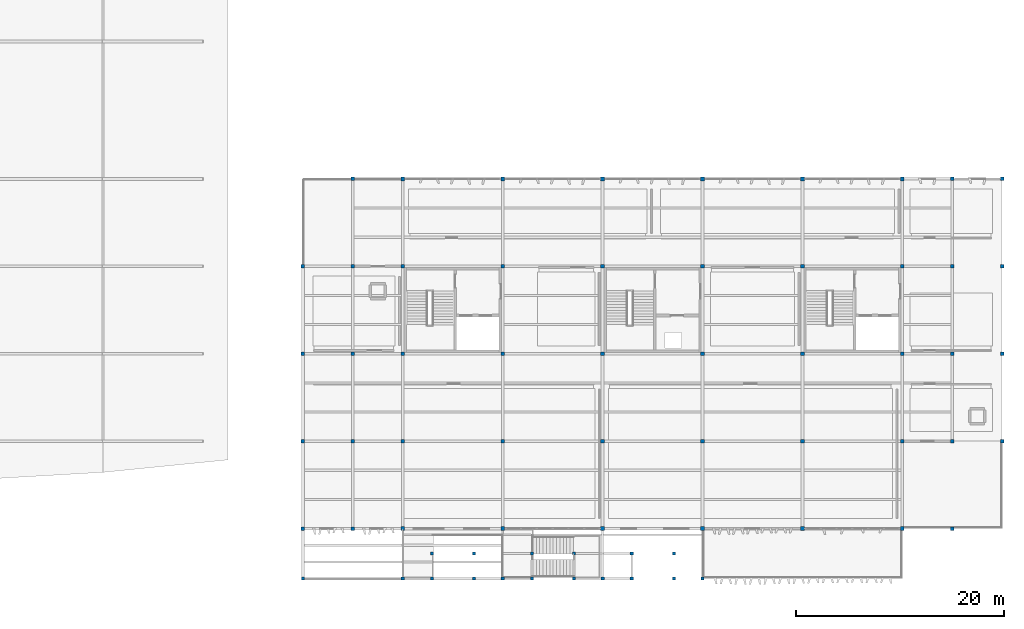
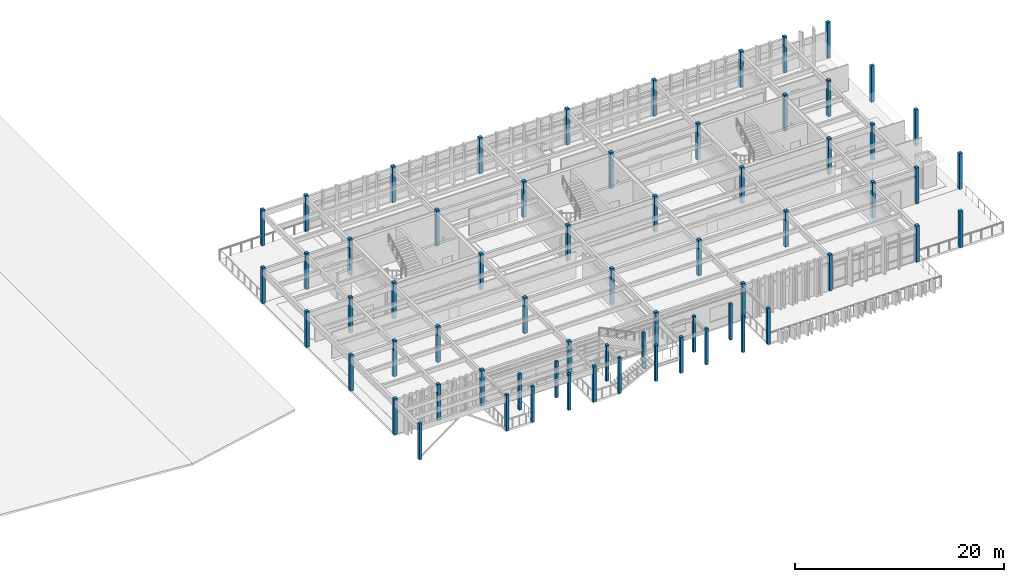
# One storey, part 1 of 18: 65 columns.
"""IFC4 building model written with IfcOpenShell, lengths in metres."""

import ifcopenshell
import ifcopenshell.guid

model = None  # the IFC model being written
_history = None  # IfcOwnerHistory: only IFC2X3 demands one
_inside = {}  # id of a spatial element -> (the spatial element, [elements in it])
_under = {}  # id of a project, library or spatial element -> (it, [spatial elements below it])
_declared = {}  # id of a project -> (the project, [libraries it declares])
_typed = {}  # id of a type object -> (the type object, [elements of that type])
_made_of = {}  # id of a material, layer set ... -> (it, [elements and type objects made of it])


def new_model(schema):
    """Start an empty IFC model of exactly this schema.

    Asked for "IFC4X3", IfcOpenShell would pick the latest addendum, in which some entities
    have other attributes; the version numbers below select the first issue.
    IFC2X3 requires an IfcOwnerHistory on every rooted entity: one is made here for all.
    """
    global model, _history
    if schema == "IFC4X3":
        model = ifcopenshell.file(schema_version=(4, 3, 0, 0))
    else:
        model = ifcopenshell.file(schema=schema)
    _inside.clear()
    _under.clear()
    _declared.clear()
    _typed.clear()
    _made_of.clear()
    _history = None
    if model.schema == "IFC2X3":
        org = make("IfcOrganization", Name="unknown")
        user = make(
            "IfcPersonAndOrganization",
            ThePerson=make("IfcPerson", FamilyName="unknown"),
            TheOrganization=org,
        )
        app = make(
            "IfcApplication",
            ApplicationDeveloper=org,
            Version="unknown",
            ApplicationFullName="unknown",
            ApplicationIdentifier="unknown",
        )
        _history = make(
            "IfcOwnerHistory",
            OwningUser=user,
            OwningApplication=app,
            ChangeAction="ADDED",
            CreationDate=0,
        )
    return model


def make(cls, **values):
    """One entity of the class cls with the attributes given. An attribute that is None is left unset."""
    return model.create_entity(
        cls, **{name: value for name, value in values.items() if value is not None}
    )


def rooted(cls, **values):
    """An entity with a GlobalId (a new one), such as an element, a storey or a relation."""
    return make(cls, GlobalId=ifcopenshell.guid.new(), OwnerHistory=_history, **values)


def si_unit(unit_type, name, prefix=None):
    """IfcSIUnit, for example si_unit("LENGTHUNIT", "METRE", prefix="MILLI")."""
    return make("IfcSIUnit", UnitType=unit_type, Prefix=prefix, Name=name)


def assignment(units):
    """IfcUnitAssignment: the units of a project."""
    return None if units is None else make("IfcUnitAssignment", Units=units)


def point(xyz):
    """IfcCartesianPoint."""
    return None if xyz is None else make("IfcCartesianPoint", Coordinates=xyz)


def direction(xyz):
    """IfcDirection."""
    return None if xyz is None else make("IfcDirection", DirectionRatios=xyz)


def frame(location, z_axis=None, x_axis=None):
    """IfcAxis2Placement3D, a coordinate frame: its origin and axes. An axis left out is left unset."""
    return make(
        "IfcAxis2Placement3D",
        Location=point(location),
        Axis=direction(z_axis),
        RefDirection=direction(x_axis),
    )


def frame_2d(location, x_axis=None):
    """IfcAxis2Placement2D, a coordinate frame in the plane: its origin and x axis."""
    return make(
        "IfcAxis2Placement2D", Location=point(location), RefDirection=direction(x_axis)
    )


def origin():
    """The frame at (0, 0, 0) with its axes left unset."""
    return frame((0.0, 0.0, 0.0))


def origin_2d():
    """The frame at (0, 0) in the plane with its x axis left unset."""
    return frame_2d((0.0, 0.0))


def place(relative_to, where):
    """IfcLocalPlacement: puts the frame where relative to a parent placement (None: the world)."""
    return make(
        "IfcLocalPlacement", PlacementRelTo=relative_to, RelativePlacement=where
    )


def context(
    kind, dimensions, precision=None, world=None, true_north=None, identifier=None
):
    """IfcGeometricRepresentationContext, for example the 3D "Model" context."""
    return make(
        "IfcGeometricRepresentationContext",
        ContextIdentifier=identifier,
        ContextType=kind,
        CoordinateSpaceDimension=dimensions,
        Precision=precision,
        WorldCoordinateSystem=world,
        TrueNorth=true_north,
    )


def subcontext(parent, identifier, kind, view, scale=None):
    """IfcGeometricRepresentationSubContext, for example "Body" below "Model"."""
    return make(
        "IfcGeometricRepresentationSubContext",
        ContextIdentifier=identifier,
        ContextType=kind,
        ParentContext=parent,
        TargetScale=scale,
        TargetView=view,
    )


def project(units=None, contexts=None):
    """IfcProject with its units and contexts."""
    return rooted(
        "IfcProject",
        Name="project",
        RepresentationContexts=contexts,
        UnitsInContext=assignment(units),
    )


def spatial(cls, under=None, at=None, **own):
    """A site, building, storey or space (cls), placed at a placement, below another one or the project."""
    s = rooted(cls, ObjectPlacement=at, **own)
    if under is not None:
        _under.setdefault(under.id(), (under, []))[1].append(s)
    return s


def profile(cls, at=None, kind="AREA", **sizes):
    """A parametric profile (cls). Its sizes go by their IFC names, for example OverallWidth=200.0."""
    return make(cls, ProfileType=kind, Position=at, **sizes)


def rectangle(**sizes):
    """IfcRectangleProfileDef."""
    return profile("IfcRectangleProfileDef", **sizes)


def extrude(swept, where, along, depth):
    """IfcExtrudedAreaSolid: the profile swept, set in the frame where, extruded along a direction by depth."""
    return make(
        "IfcExtrudedAreaSolid",
        SweptArea=swept,
        Position=where,
        ExtrudedDirection=direction(along),
        Depth=depth,
    )


def shape(context_of_items, identifier, shape_type, items):
    """IfcShapeRepresentation: the items that make up one representation, for example the "Body"."""
    return make(
        "IfcShapeRepresentation",
        ContextOfItems=context_of_items,
        RepresentationIdentifier=identifier,
        RepresentationType=shape_type,
        Items=items,
    )


def material(Name=None, Category=None):
    """IfcMaterial."""
    return make("IfcMaterial", Name=Name, Category=Category)


def material_profile(
    of_material, cross_section, Name=None, Category=None, Priority=None
):
    """IfcMaterialProfile: a cross section and its material."""
    return make(
        "IfcMaterialProfile",
        Name=Name,
        Material=of_material,
        Profile=cross_section,
        Priority=Priority,
        Category=Category,
    )


def profile_set(profiles, Name=None, composite=None):
    """IfcMaterialProfileSet."""
    return make(
        "IfcMaterialProfileSet",
        Name=Name,
        MaterialProfiles=profiles,
        CompositeProfile=composite,
    )


def made_of(thing, what):
    """Note that an element or type object is made of a material, layer set ...; save() writes the relation."""
    if what is not None:
        _made_of.setdefault(what.id(), (what, []))[1].append(thing)
    return thing


def type_object(cls, material=None, **own):
    """A type object (cls), such as IfcWallType, which elements share."""
    return made_of(rooted(cls, **own), material)


def element(
    cls,
    number,
    at=None,
    inside=None,
    cuts=None,
    type_object=None,
    material=None,
    context=None,
    identifier="Body",
    shape_type=None,
    held_by="IfcProductDefinitionShape",
    body=None,
    shapes=None,
    **own,
):
    """One element of the class cls, such as IfcWall. Its Tag is "e" and its number.

    at: its placement. inside: the storey or other place that contains it. cuts: it is an
    opening in that element (IfcRelVoidsElement). A single representation is given by context,
    identifier, shape_type and body (its items); several are given by shapes. held_by: the class
    of the entity that holds the representations. save() writes the other relations.
    """
    e = rooted(cls, Tag="e%d" % number, ObjectPlacement=at, **own)
    if body is not None:
        shapes = [shape(context, identifier, shape_type, body)]
    if shapes is not None:
        e.Representation = make(held_by, Representations=shapes)
    if inside is not None:
        _inside.setdefault(inside.id(), (inside, []))[1].append(e)
    if cuts is not None:
        rooted(
            "IfcRelVoidsElement", RelatingBuildingElement=cuts, RelatedOpeningElement=e
        )
    if type_object is not None:
        _typed.setdefault(type_object.id(), (type_object, []))[1].append(e)
    return made_of(e, material)


def aggregate(whole, parts):
    """IfcRelAggregates: a whole, such as a stair, and the parts it consists of."""
    return rooted("IfcRelAggregates", RelatingObject=whole, RelatedObjects=parts)


def save(model, path):
    """Write the relations noted so far, then the file.

    IfcRelAggregates (storeys below a building ...), IfcRelContainedInSpatialStructure (elements
    in a storey), IfcRelDefinesByType, IfcRelAssociatesMaterial and IfcRelDeclares: one each for
    every whole, place, type object, material and project.
    """
    for whole, parts in _under.values():
        aggregate(whole, parts)
    for where, things in _inside.values():
        rooted(
            "IfcRelContainedInSpatialStructure",
            RelatedElements=things,
            RelatingStructure=where,
        )
    for kind, things in _typed.values():
        rooted("IfcRelDefinesByType", RelatedObjects=things, RelatingType=kind)
    for what, things in _made_of.values():
        rooted("IfcRelAssociatesMaterial", RelatedObjects=things, RelatingMaterial=what)
    for by, libraries in _declared.values():
        rooted("IfcRelDeclares", RelatingContext=by, RelatedDefinitions=libraries)
    model.write(path)


model = new_model("IFC4")

# Units and contexts
model_context = context("Model", 3, precision=1e-05, world=origin(), true_north=direction((0.0, 1.0)))
body_context = subcontext(model_context, "Body", "Model", "MODEL_VIEW")
ifc_project = project(units=[si_unit("LENGTHUNIT", "METRE"), si_unit("AREAUNIT", "SQUARE_METRE"), si_unit("VOLUMEUNIT", "CUBIC_METRE"), si_unit("PLANEANGLEUNIT", "RADIAN"), si_unit("MASSUNIT", "GRAM", prefix="KILO")], contexts=[model_context])

# Site, building, storey
site_placement = place(None, origin())
site = spatial("IfcSite", under=ifc_project, at=site_placement, CompositionType="ELEMENT")
building_placement = place(site_placement, origin())
building = spatial("IfcBuilding", under=site, at=building_placement, Name="Kolvemor Railside Polytechnic", CompositionType="ELEMENT")
storey_placement = place(building_placement, frame((0.0, 0.0, 18.60009765625)))
storey = spatial("IfcBuildingStorey", under=building, at=storey_placement, Name="L04", CompositionType="ELEMENT", Elevation=18.60009765625)

# Columns
ifc_material_1 = material(Name="Glulam GL28h", Category="wood")
ifc_material_profile_1 = material_profile(ifc_material_1, rectangle(XDim=0.2900390625, YDim=0.2900390625, at=origin_2d()), Name="GL290x290")
ifc_profile_set_1 = profile_set([ifc_material_profile_1], Name="Glulam GL28h")
column_type_1 = type_object("IfcColumnType", Name="COL-GL290", PredefinedType="COLUMN", material=ifc_profile_set_1)
for number, where, z_axis, x_axis, name in (
    (1, (70.0, 0.0, 0.0), (0.0, 0.0, 1.0), (1.0, 0.0, 0.0), "Column L04-C017"),
    (2, (70.0, 2.39990234375, 0.0), (0.0, 0.0, 1.0), (1.0, 0.0, 0.0), "Column L04-C018"),
    (3, (74.050048828125, 0.0, 0.0), (0.0, 0.0, 1.0), (1.0, 0.0, 0.0), "Column L04-C019"),
    (4, (74.050048828125, 2.39990234375, 0.0), (0.0, 0.0, 1.0), (1.0, 0.0, 0.0), "Column L04-C020"),
    (5, (79.60009765625, 0.0, 0.0), (0.0, 0.0, 1.0), (1.0, 0.0, 0.0), "Column L04-C027"),
    (6, (79.60009765625, 2.39990234375, 0.0), (0.0, 0.0, 1.0), (1.0, 0.0, 0.0), "Column L04-C028"),
    (7, (83.64990234375, 0.0, 0.0), (0.0, 0.0, 1.0), (1.0, 0.0, 0.0), "Column L04-C029"),
    (8, (83.64990234375, 2.39990234375, 0.0), (0.0, 0.0, 1.0), (1.0, 0.0, 0.0), "Column L04-C030"),
    (9, (89.199951171875, 0.0, 0.0), (0.0, 0.0, 1.0), (1.0, 0.0, 0.0), "Column L04-C037"),
    (10, (89.199951171875, 2.39990234375, 0.0), (0.0, 0.0, 1.0), (1.0, 0.0, 0.0), "Column L04-C038"),
    (11, (93.25, 0.0, 0.0), (0.0, 0.0, 1.0), (1.0, 0.0, 0.0), "Column L04-C039"),
    (12, (93.25, 2.39990234375, 0.0), (0.0, 0.0, 1.0), (1.0, 0.0, 0.0), "Column L04-C040"),
):
    element("IfcColumn", number, at=place(storey_placement, frame(where, z_axis=z_axis, x_axis=x_axis)), inside=storey, type_object=column_type_1, Name=name, PredefinedType="COLUMN", context=body_context, shape_type="SweptSolid", body=[
        extrude(rectangle(XDim=0.2900390625, YDim=0.2900390625, at=origin_2d()), origin(), (0.0, 0.0, 1.0), 4.199951171875),
    ])
ifc_material_2 = material(Name="Glulam GL28h", Category="wood")
ifc_material_profile_2 = material_profile(ifc_material_2, rectangle(XDim=0.31494140625, YDim=0.31494140625, at=origin_2d()), Name="GL315x315")
ifc_profile_set_2 = profile_set([ifc_material_profile_2], Name="Glulam GL28h")
column_type_2 = type_object("IfcColumnType", Name="COL-GL315", PredefinedType="COLUMN", material=ifc_profile_set_2)
for number, where, z_axis, x_axis, name in (
    (13, (57.60009765625, 0.0, 0.0), (0.0, 0.0, 1.0), (1.0, 0.0, 0.0), "Column L04-C001"),
    (14, (67.199951171875, 0.0, 0.0), (0.0, 0.0, 1.0), (1.0, 0.0, 0.0), "Column L04-C011"),
    (15, (76.800048828125, 0.0, 0.0), (0.0, 0.0, 1.0), (1.0, 0.0, 0.0), "Column L04-C021"),
    (16, (86.39990234375, 0.0, 0.0), (0.0, 0.0, 1.0), (1.0, 0.0, 0.0), "Column L04-C031"),
    (17, (96.0, 0.0, 0.0), (0.0, 0.0, 1.0), (1.0, 0.0, 0.0), "Column L04-C041"),
):
    element("IfcColumn", number, at=place(storey_placement, frame(where, z_axis=z_axis, x_axis=x_axis)), inside=storey, type_object=column_type_2, Name=name, PredefinedType="COLUMN", context=body_context, shape_type="SweptSolid", body=[
        extrude(rectangle(XDim=0.31494140625, YDim=0.31494140625, at=origin_2d()), origin(), (0.0, 0.0, 1.0), 4.199951171875),
    ])
ifc_material_3 = material(Name="Glulam GL28h", Category="wood")
ifc_material_profile_3 = material_profile(ifc_material_3, rectangle(XDim=0.340087890625, YDim=0.340087890625, at=origin_2d()), Name="GL340x340")
ifc_profile_set_3 = profile_set([ifc_material_profile_3], Name="Glulam GL28h")
column_type_3 = type_object("IfcColumnType", Name="COL-GL340", PredefinedType="COLUMN", material=ifc_profile_set_3)
for number, where, z_axis, x_axis, name in (
    (18, (57.60009765625, 4.800048828125, 0.0), (0.0, 0.0, 1.0), (1.0, 0.0, 0.0), "Column L04-C002"),
    (19, (57.60009765625, 13.199951171875, 0.0), (0.0, 0.0, 1.0), (1.0, 0.0, 0.0), "Column L04-C003"),
    (20, (57.60009765625, 21.60009765625, 0.0), (0.0, 0.0, 1.0), (1.0, 0.0, 0.0), "Column L04-C004"),
    (21, (57.60009765625, 30.0, 0.0), (0.0, 0.0, 1.0), (1.0, 0.0, 0.0), "Column L04-C005"),
    (22, (62.39990234375, 4.800048828125, 0.0), (0.0, 0.0, 1.0), (1.0, 0.0, 0.0), "Column L04-C006"),
    (23, (62.39990234375, 13.199951171875, 0.0), (0.0, 0.0, 1.0), (1.0, 0.0, 0.0), "Column L04-C007"),
    (24, (62.39990234375, 21.60009765625, 0.0), (0.0, 0.0, 1.0), (1.0, 0.0, 0.0), "Column L04-C008"),
    (25, (62.39990234375, 30.0, 0.0), (0.0, 0.0, 1.0), (1.0, 0.0, 0.0), "Column L04-C009"),
    (26, (62.39990234375, 38.39990234375, 0.0), (0.0, 0.0, 1.0), (1.0, 0.0, 0.0), "Column L04-C010"),
    (27, (120.0, 4.800048828125, 0.0), (0.0, 0.0, 1.0), (1.0, 0.0, 0.0), "Column L04-C057"),
    (28, (120.0, 13.199951171875, 0.0), (0.0, 0.0, 1.0), (1.0, 0.0, 0.0), "Column L04-C058"),
    (29, (120.0, 21.60009765625, 0.0), (0.0, 0.0, 1.0), (1.0, 0.0, 0.0), "Column L04-C059"),
    (30, (120.0, 30.0, 0.0), (0.0, 0.0, 1.0), (1.0, 0.0, 0.0), "Column L04-C060"),
    (31, (120.0, 38.39990234375, 0.0), (0.0, 0.0, 1.0), (1.0, 0.0, 0.0), "Column L04-C061"),
    (32, (124.800048828125, 13.199951171875, 0.0), (0.0, 0.0, 1.0), (1.0, 0.0, 0.0), "Column L04-C062"),
    (33, (124.800048828125, 21.60009765625, 0.0), (0.0, 0.0, 1.0), (1.0, 0.0, 0.0), "Column L04-C063"),
    (34, (124.800048828125, 30.0, 0.0), (0.0, 0.0, 1.0), (1.0, 0.0, 0.0), "Column L04-C064"),
    (35, (124.800048828125, 38.39990234375, 0.0), (0.0, 0.0, 1.0), (1.0, 0.0, 0.0), "Column L04-C065"),
):
    element("IfcColumn", number, at=place(storey_placement, frame(where, z_axis=z_axis, x_axis=x_axis)), inside=storey, type_object=column_type_3, Name=name, PredefinedType="COLUMN", context=body_context, shape_type="SweptSolid", body=[
        extrude(rectangle(XDim=0.340087890625, YDim=0.340087890625, at=origin_2d()), origin(), (0.0, 0.0, 1.0), 4.199951171875),
    ])
ifc_material_4 = material(Name="Glulam GL28h", Category="wood")
ifc_material_profile_4 = material_profile(ifc_material_4, rectangle(XDim=0.364990234375, YDim=0.364990234375, at=origin_2d()), Name="GL365x365")
ifc_profile_set_4 = profile_set([ifc_material_profile_4], Name="Glulam GL28h")
column_type_4 = type_object("IfcColumnType", Name="COL-GL365", PredefinedType="COLUMN", material=ifc_profile_set_4)
for number, where, z_axis, x_axis, name in (
    (36, (67.199951171875, 4.800048828125, 0.0), (0.0, 0.0, 1.0), (1.0, 0.0, 0.0), "Column L04-C012"),
    (37, (67.199951171875, 13.199951171875, 0.0), (0.0, 0.0, 1.0), (1.0, 0.0, 0.0), "Column L04-C013"),
    (38, (67.199951171875, 21.60009765625, 0.0), (0.0, 0.0, 1.0), (1.0, 0.0, 0.0), "Column L04-C014"),
    (39, (67.199951171875, 30.0, 0.0), (0.0, 0.0, 1.0), (1.0, 0.0, 0.0), "Column L04-C015"),
    (40, (67.199951171875, 38.39990234375, 0.0), (0.0, 0.0, 1.0), (1.0, 0.0, 0.0), "Column L04-C016"),
    (41, (76.800048828125, 4.800048828125, 0.0), (0.0, 0.0, 1.0), (1.0, 0.0, 0.0), "Column L04-C022"),
    (42, (76.800048828125, 13.199951171875, 0.0), (0.0, 0.0, 1.0), (1.0, 0.0, 0.0), "Column L04-C023"),
    (43, (76.800048828125, 21.60009765625, 0.0), (0.0, 0.0, 1.0), (1.0, 0.0, 0.0), "Column L04-C024"),
    (44, (76.800048828125, 30.0, 0.0), (0.0, 0.0, 1.0), (1.0, 0.0, 0.0), "Column L04-C025"),
    (45, (76.800048828125, 38.39990234375, 0.0), (0.0, 0.0, 1.0), (1.0, 0.0, 0.0), "Column L04-C026"),
    (46, (86.39990234375, 4.800048828125, 0.0), (0.0, 0.0, 1.0), (1.0, 0.0, 0.0), "Column L04-C032"),
    (47, (86.39990234375, 13.199951171875, 0.0), (0.0, 0.0, 1.0), (1.0, 0.0, 0.0), "Column L04-C033"),
    (48, (86.39990234375, 21.60009765625, 0.0), (0.0, 0.0, 1.0), (1.0, 0.0, 0.0), "Column L04-C034"),
    (49, (86.39990234375, 30.0, 0.0), (0.0, 0.0, 1.0), (1.0, 0.0, 0.0), "Column L04-C035"),
    (50, (86.39990234375, 38.39990234375, 0.0), (0.0, 0.0, 1.0), (1.0, 0.0, 0.0), "Column L04-C036"),
    (51, (96.0, 4.800048828125, 0.0), (0.0, 0.0, 1.0), (1.0, 0.0, 0.0), "Column L04-C042"),
    (52, (96.0, 13.199951171875, 0.0), (0.0, 0.0, 1.0), (1.0, 0.0, 0.0), "Column L04-C043"),
    (53, (96.0, 21.60009765625, 0.0), (0.0, 0.0, 1.0), (1.0, 0.0, 0.0), "Column L04-C044"),
    (54, (96.0, 30.0, 0.0), (0.0, 0.0, 1.0), (1.0, 0.0, 0.0), "Column L04-C045"),
    (55, (96.0, 38.39990234375, 0.0), (0.0, 0.0, 1.0), (1.0, 0.0, 0.0), "Column L04-C046"),
    (56, (105.60009765625, 4.800048828125, 0.0), (0.0, 0.0, 1.0), (1.0, 0.0, 0.0), "Column L04-C047"),
    (57, (105.60009765625, 13.199951171875, 0.0), (0.0, 0.0, 1.0), (1.0, 0.0, 0.0), "Column L04-C048"),
    (58, (105.60009765625, 21.60009765625, 0.0), (0.0, 0.0, 1.0), (1.0, 0.0, 0.0), "Column L04-C049"),
    (59, (105.60009765625, 30.0, 0.0), (0.0, 0.0, 1.0), (1.0, 0.0, 0.0), "Column L04-C050"),
    (60, (105.60009765625, 38.39990234375, 0.0), (0.0, 0.0, 1.0), (1.0, 0.0, 0.0), "Column L04-C051"),
    (61, (115.199951171875, 4.800048828125, 0.0), (0.0, 0.0, 1.0), (1.0, 0.0, 0.0), "Column L04-C052"),
    (62, (115.199951171875, 13.199951171875, 0.0), (0.0, 0.0, 1.0), (1.0, 0.0, 0.0), "Column L04-C053"),
    (63, (115.199951171875, 21.60009765625, 0.0), (0.0, 0.0, 1.0), (1.0, 0.0, 0.0), "Column L04-C054"),
    (64, (115.199951171875, 30.0, 0.0), (0.0, 0.0, 1.0), (1.0, 0.0, 0.0), "Column L04-C055"),
    (65, (115.199951171875, 38.39990234375, 0.0), (0.0, 0.0, 1.0), (1.0, 0.0, 0.0), "Column L04-C056"),
):
    element("IfcColumn", number, at=place(storey_placement, frame(where, z_axis=z_axis, x_axis=x_axis)), inside=storey, type_object=column_type_4, Name=name, PredefinedType="COLUMN", context=body_context, shape_type="SweptSolid", body=[
        extrude(rectangle(XDim=0.364990234375, YDim=0.364990234375, at=origin_2d()), origin(), (0.0, 0.0, 1.0), 4.199951171875),
    ])

save(model, "model.ifc")
